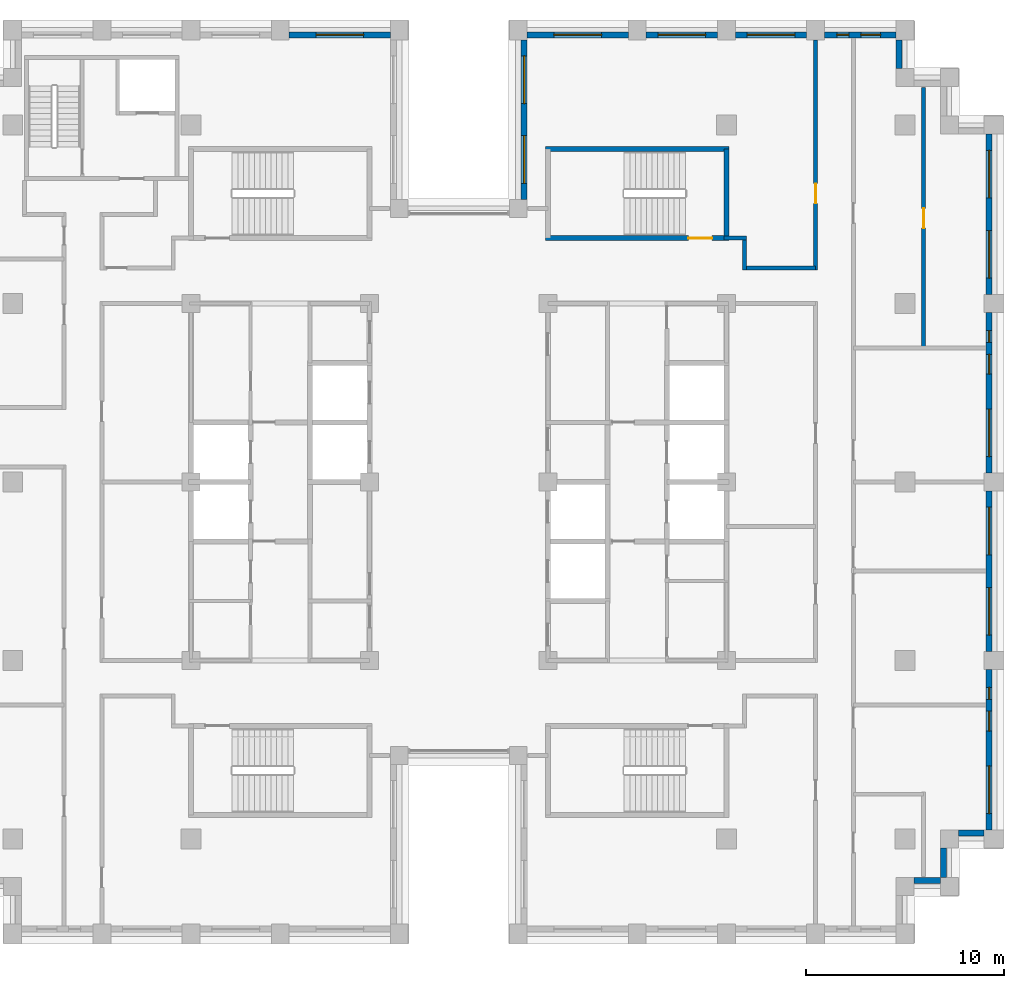
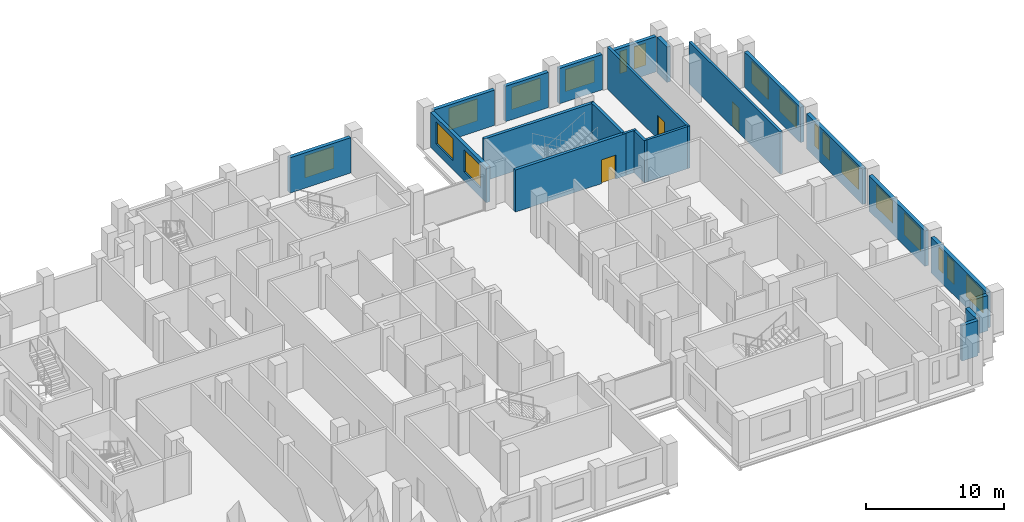
# One storey, part 11 of 15: 22 walls, 18 windows, 3 doors, 21 openings.
"""IFC4 building model written with IfcOpenShell, lengths in metres."""

from ifc_helpers import new_model, si_unit, direction, frame, frame_2d, origin, place, context, subcontext, project, spatial, rectangle, extrude, material, layer, layer_set, type_object, element, fill, save


model = new_model("IFC4")

# Units and contexts
model_context = context("Model", 3, precision=1e-05, world=origin(), true_north=direction((0.0, 1.0)))
body_context = subcontext(model_context, "Body", "Model", "MODEL_VIEW")
ifc_project = project(units=[si_unit("LENGTHUNIT", "METRE"), si_unit("AREAUNIT", "SQUARE_METRE"), si_unit("VOLUMEUNIT", "CUBIC_METRE"), si_unit("PLANEANGLEUNIT", "RADIAN"), si_unit("MASSUNIT", "GRAM", prefix="KILO")], contexts=[model_context])

# Site, building, storey
site_placement = place(None, origin())
site = spatial("IfcSite", under=ifc_project, at=site_placement, CompositionType="ELEMENT")
building_placement = place(site_placement, origin())
building = spatial("IfcBuilding", under=site, at=building_placement, Name="Corbelhall Arena Tower", CompositionType="ELEMENT")
storey_placement = place(building_placement, frame((0.0, 0.0, 204.0)))
storey = spatial("IfcBuildingStorey", under=building, at=storey_placement, Name="L42", CompositionType="ELEMENT", Elevation=204.0)

# Walls
ifc_material_1 = material(Name="Precast concrete C40/50 with granite facing", Category="masonry")
ifc_layer_1 = layer(ifc_material_1, 0.300048828125)
ifc_layer_set_1 = layer_set([ifc_layer_1], Name="EV-IW1 Infill panel 300")
wall_type_1 = type_object("IfcWallType", Name="EV-IW1 Infill panel 300", PredefinedType="SOLIDWALL", material=ifc_layer_set_1)
wall_1_placement = place(storey_placement, frame((22.949951171875, -20.10009765625, 0.0), z_axis=(0.0, 0.0, 1.0), x_axis=(1.0, 0.0, 0.0)))
element("IfcWall", 1, at=wall_1_placement, inside=storey, type_object=wall_type_1, Name="Infill panel IW1", PredefinedType="SOLIDWALL", context=body_context, shape_type="SweptSolid", body=[
    extrude(rectangle(XDim=1.35009765625, YDim=0.300048828125, at=frame_2d((0.675048828125, 0.0))), origin(), (0.0, 0.0, 1.0), 3.1201171875),
])
wall_2_placement = place(storey_placement, frame((24.449951171875, -19.949951171875, 0.0), z_axis=(0.0, 0.0, 1.0), x_axis=(0.0, 1.0, 0.0)))
element("IfcWall", 2, at=wall_2_placement, inside=storey, type_object=wall_type_1, Name="Infill panel IW1", PredefinedType="SOLIDWALL", context=body_context, shape_type="SweptSolid", body=[
    extrude(rectangle(XDim=1.5, YDim=0.300048828125, at=frame_2d((0.75, 0.0))), origin(), (0.0, 0.0, 1.0), 3.1201171875),
])
wall_3_placement = place(storey_placement, frame((25.199951171875, -17.699951171875, 0.0), z_axis=(0.0, 0.0, 1.0), x_axis=(1.0, 0.0, 0.0)))
element("IfcWall", 3, at=wall_3_placement, inside=storey, type_object=wall_type_1, Name="Infill panel IW1", PredefinedType="SOLIDWALL", context=body_context, shape_type="SweptSolid", body=[
    extrude(rectangle(XDim=1.300048828125, YDim=0.300048828125, at=frame_2d((0.64990234375, 0.0))), origin(), (0.0, 0.0, 1.0), 3.1201171875),
])

# Wall, openings, windows
wall_4_placement = place(storey_placement, frame((26.75, -17.550048828125, 0.0), z_axis=(0.0, 0.0, 1.0), x_axis=(0.0, 1.0, 0.0)))
wall_4 = element("IfcWall", 4, at=wall_4_placement, inside=storey, type_object=wall_type_1, Name="Infill panel IW1", PredefinedType="SOLIDWALL", context=body_context, shape_type="SweptSolid", body=[
    extrude(rectangle(XDim=8.10009765625, YDim=0.300048828125, at=frame_2d((4.050048828125, 0.0))), origin(), (0.0, 0.0, 1.0), 3.1201171875),
])
opening_1_placement = place(wall_4_placement, frame((0.824951171875, 0.0, 0.800048828125)))
opening_1 = element("IfcOpeningElement", 5, at=opening_1_placement, cuts=wall_4, Name="Opening WN1", PredefinedType="OPENING", context=body_context, shape_type="SweptSolid", body=[
    extrude(rectangle(XDim=2.39990234375, YDim=1.949951171875, at=frame_2d((1.199951171875, 0.97509765625))), frame((0.0, 0.14990234375, 0.0), z_axis=(0.0, -1.0, 0.0), x_axis=(1.0, 0.0, 0.0)), (0.0, 0.0, 1.0), 0.300048828125),
])
opening_2_placement = place(wall_4_placement, frame((4.987548828125, 0.0, 0.800048828125)))
opening_2 = element("IfcOpeningElement", 6, at=opening_2_placement, cuts=wall_4, Name="Opening WN6", PredefinedType="OPENING", context=body_context, shape_type="SweptSolid", body=[
    extrude(rectangle(XDim=1.0, YDim=1.949951171875, at=frame_2d((0.5, 0.97509765625))), frame((0.0, 0.14990234375, 0.0), z_axis=(0.0, -1.0, 0.0), x_axis=(1.0, 0.0, 0.0)), (0.0, 0.0, 1.0), 0.300048828125),
])
opening_3_placement = place(wall_4_placement, frame((6.58740234375, 0.0, 0.800048828125)))
opening_3 = element("IfcOpeningElement", 7, at=opening_3_placement, cuts=wall_4, Name="Opening WN5", PredefinedType="OPENING", context=body_context, shape_type="SweptSolid", body=[
    extrude(rectangle(XDim=0.60009765625, YDim=1.949951171875, at=frame_2d((0.300048828125, 0.97509765625))), frame((0.0, 0.14990234375, 0.0), z_axis=(0.0, -1.0, 0.0), x_axis=(1.0, 0.0, 0.0)), (0.0, 0.0, 1.0), 0.300048828125),
])
ifc_material_2 = material(Name="Aluminium black anodised", Category="aluminium")
window_type_1 = type_object("IfcWindowType", Name="EV-WN1 Office window", PartitioningType="SINGLE_PANEL", PredefinedType="WINDOW", material=ifc_material_2)
window_1_placement = place(opening_1_placement, origin())
window_1 = element("IfcWindow", 8, at=window_1_placement, inside=storey, type_object=window_type_1, Name="Window WN1", OverallHeight=1.949951171875, OverallWidth=2.39990234375, PartitioningType="SINGLE_PANEL", PredefinedType="WINDOW", context=body_context, shape_type="SweptSolid", body=[
    extrude(rectangle(XDim=2.39990234375, YDim=1.949951171875, at=frame_2d((1.199951171875, 0.97509765625))), frame((0.0, 0.030029296875, 0.0), z_axis=(0.0, -1.0, 0.0), x_axis=(1.0, 0.0, 0.0)), (0.0, 0.0, 1.0), 0.06005859375),
])
fill(opening_1, window_1)
window_type_2 = type_object("IfcWindowType", Name="EV-WN5 Office window 600", PartitioningType="SINGLE_PANEL", PredefinedType="WINDOW", material=ifc_material_2)
window_2_placement = place(opening_3_placement, origin())
window_2 = element("IfcWindow", 9, at=window_2_placement, inside=storey, type_object=window_type_2, Name="Window WN5", OverallHeight=1.949951171875, OverallWidth=0.60009765625, PartitioningType="SINGLE_PANEL", PredefinedType="WINDOW", context=body_context, shape_type="SweptSolid", body=[
    extrude(rectangle(XDim=0.60009765625, YDim=1.949951171875, at=frame_2d((0.300048828125, 0.97509765625))), frame((0.0, 0.030029296875, 0.0), z_axis=(0.0, -1.0, 0.0), x_axis=(1.0, 0.0, 0.0)), (0.0, 0.0, 1.0), 0.06005859375),
])
fill(opening_3, window_2)
window_type_3 = type_object("IfcWindowType", Name="EV-WN6 Office window 1000", PartitioningType="SINGLE_PANEL", PredefinedType="WINDOW", material=ifc_material_2)
window_3_placement = place(opening_2_placement, origin())
window_3 = element("IfcWindow", 10, at=window_3_placement, inside=storey, type_object=window_type_3, Name="Window WN6", OverallHeight=1.949951171875, OverallWidth=1.0, PartitioningType="SINGLE_PANEL", PredefinedType="WINDOW", context=body_context, shape_type="SweptSolid", body=[
    extrude(rectangle(XDim=1.0, YDim=1.949951171875, at=frame_2d((0.5, 0.97509765625))), frame((0.0, 0.030029296875, 0.0), z_axis=(0.0, -1.0, 0.0), x_axis=(1.0, 0.0, 0.0)), (0.0, 0.0, 1.0), 0.06005859375),
])
fill(opening_2, window_3)

wall_5_placement = place(storey_placement, frame((26.75, -8.550048828125, 0.0), z_axis=(0.0, 0.0, 1.0), x_axis=(0.0, 1.0, 0.0)))
wall_5 = element("IfcWall", 11, at=wall_5_placement, inside=storey, type_object=wall_type_1, Name="Infill panel IW1", PredefinedType="SOLIDWALL", context=body_context, shape_type="SweptSolid", body=[
    extrude(rectangle(XDim=8.10009765625, YDim=0.300048828125, at=frame_2d((4.050048828125, 0.0))), origin(), (0.0, 0.0, 1.0), 3.1201171875),
])
opening_4_placement = place(wall_5_placement, frame((0.824951171875, 0.0, 0.800048828125)))
opening_4 = element("IfcOpeningElement", 12, at=opening_4_placement, cuts=wall_5, Name="Opening WN1", PredefinedType="OPENING", context=body_context, shape_type="SweptSolid", body=[
    extrude(rectangle(XDim=2.39990234375, YDim=1.949951171875, at=frame_2d((1.199951171875, 0.97509765625))), frame((0.0, 0.14990234375, 0.0), z_axis=(0.0, -1.0, 0.0), x_axis=(1.0, 0.0, 0.0)), (0.0, 0.0, 1.0), 0.300048828125),
])
opening_5_placement = place(wall_5_placement, frame((4.875, 0.0, 0.800048828125)))
opening_5 = element("IfcOpeningElement", 13, at=opening_5_placement, cuts=wall_5, Name="Opening WN1", PredefinedType="OPENING", context=body_context, shape_type="SweptSolid", body=[
    extrude(rectangle(XDim=2.39990234375, YDim=1.949951171875, at=frame_2d((1.199951171875, 0.97509765625))), frame((0.0, 0.14990234375, 0.0), z_axis=(0.0, -1.0, 0.0), x_axis=(1.0, 0.0, 0.0)), (0.0, 0.0, 1.0), 0.300048828125),
])
window_4_placement = place(opening_4_placement, origin())
window_4 = element("IfcWindow", 14, at=window_4_placement, inside=storey, type_object=window_type_1, Name="Window WN1", OverallHeight=1.949951171875, OverallWidth=2.39990234375, PartitioningType="SINGLE_PANEL", PredefinedType="WINDOW", context=body_context, shape_type="SweptSolid", body=[
    extrude(rectangle(XDim=2.39990234375, YDim=1.949951171875, at=frame_2d((1.199951171875, 0.97509765625))), frame((0.0, 0.030029296875, 0.0), z_axis=(0.0, -1.0, 0.0), x_axis=(1.0, 0.0, 0.0)), (0.0, 0.0, 1.0), 0.06005859375),
])
fill(opening_4, window_4)
window_5_placement = place(opening_5_placement, origin())
window_5 = element("IfcWindow", 15, at=window_5_placement, inside=storey, type_object=window_type_1, Name="Window WN1", OverallHeight=1.949951171875, OverallWidth=2.39990234375, PartitioningType="SINGLE_PANEL", PredefinedType="WINDOW", context=body_context, shape_type="SweptSolid", body=[
    extrude(rectangle(XDim=2.39990234375, YDim=1.949951171875, at=frame_2d((1.199951171875, 0.97509765625))), frame((0.0, 0.030029296875, 0.0), z_axis=(0.0, -1.0, 0.0), x_axis=(1.0, 0.0, 0.0)), (0.0, 0.0, 1.0), 0.06005859375),
])
fill(opening_5, window_5)

wall_6_placement = place(storey_placement, frame((26.75, 0.449951171875, 0.0), z_axis=(0.0, 0.0, 1.0), x_axis=(0.0, 1.0, 0.0)))
wall_6 = element("IfcWall", 16, at=wall_6_placement, inside=storey, type_object=wall_type_1, Name="Infill panel IW1", PredefinedType="SOLIDWALL", context=body_context, shape_type="SweptSolid", body=[
    extrude(rectangle(XDim=8.10009765625, YDim=0.300048828125, at=frame_2d((4.050048828125, 0.0))), origin(), (0.0, 0.0, 1.0), 3.1201171875),
])
opening_6_placement = place(wall_6_placement, frame((0.824951171875, 0.0, 0.800048828125)))
opening_6 = element("IfcOpeningElement", 17, at=opening_6_placement, cuts=wall_6, Name="Opening WN1", PredefinedType="OPENING", context=body_context, shape_type="SweptSolid", body=[
    extrude(rectangle(XDim=2.39990234375, YDim=1.949951171875, at=frame_2d((1.199951171875, 0.97509765625))), frame((0.0, 0.14990234375, 0.0), z_axis=(0.0, -1.0, 0.0), x_axis=(1.0, 0.0, 0.0)), (0.0, 0.0, 1.0), 0.300048828125),
])
opening_7_placement = place(wall_6_placement, frame((4.987548828125, 0.0, 0.800048828125)))
opening_7 = element("IfcOpeningElement", 18, at=opening_7_placement, cuts=wall_6, Name="Opening WN6", PredefinedType="OPENING", context=body_context, shape_type="SweptSolid", body=[
    extrude(rectangle(XDim=1.0, YDim=1.949951171875, at=frame_2d((0.5, 0.97509765625))), frame((0.0, 0.14990234375, 0.0), z_axis=(0.0, -1.0, 0.0), x_axis=(1.0, 0.0, 0.0)), (0.0, 0.0, 1.0), 0.300048828125),
])
opening_8_placement = place(wall_6_placement, frame((6.58740234375, 0.0, 0.800048828125)))
opening_8 = element("IfcOpeningElement", 19, at=opening_8_placement, cuts=wall_6, Name="Opening WN5", PredefinedType="OPENING", context=body_context, shape_type="SweptSolid", body=[
    extrude(rectangle(XDim=0.60009765625, YDim=1.949951171875, at=frame_2d((0.300048828125, 0.97509765625))), frame((0.0, 0.14990234375, 0.0), z_axis=(0.0, -1.0, 0.0), x_axis=(1.0, 0.0, 0.0)), (0.0, 0.0, 1.0), 0.300048828125),
])
window_6_placement = place(opening_6_placement, origin())
window_6 = element("IfcWindow", 20, at=window_6_placement, inside=storey, type_object=window_type_1, Name="Window WN1", OverallHeight=1.949951171875, OverallWidth=2.39990234375, PartitioningType="SINGLE_PANEL", PredefinedType="WINDOW", context=body_context, shape_type="SweptSolid", body=[
    extrude(rectangle(XDim=2.39990234375, YDim=1.949951171875, at=frame_2d((1.199951171875, 0.97509765625))), frame((0.0, 0.030029296875, 0.0), z_axis=(0.0, -1.0, 0.0), x_axis=(1.0, 0.0, 0.0)), (0.0, 0.0, 1.0), 0.06005859375),
])
fill(opening_6, window_6)
window_7_placement = place(opening_8_placement, origin())
window_7 = element("IfcWindow", 21, at=window_7_placement, inside=storey, type_object=window_type_2, Name="Window WN5", OverallHeight=1.949951171875, OverallWidth=0.60009765625, PartitioningType="SINGLE_PANEL", PredefinedType="WINDOW", context=body_context, shape_type="SweptSolid", body=[
    extrude(rectangle(XDim=0.60009765625, YDim=1.949951171875, at=frame_2d((0.300048828125, 0.97509765625))), frame((0.0, 0.030029296875, 0.0), z_axis=(0.0, -1.0, 0.0), x_axis=(1.0, 0.0, 0.0)), (0.0, 0.0, 1.0), 0.06005859375),
])
fill(opening_8, window_7)
window_8_placement = place(opening_7_placement, origin())
window_8 = element("IfcWindow", 22, at=window_8_placement, inside=storey, type_object=window_type_3, Name="Window WN6", OverallHeight=1.949951171875, OverallWidth=1.0, PartitioningType="SINGLE_PANEL", PredefinedType="WINDOW", context=body_context, shape_type="SweptSolid", body=[
    extrude(rectangle(XDim=1.0, YDim=1.949951171875, at=frame_2d((0.5, 0.97509765625))), frame((0.0, 0.030029296875, 0.0), z_axis=(0.0, -1.0, 0.0), x_axis=(1.0, 0.0, 0.0)), (0.0, 0.0, 1.0), 0.06005859375),
])
fill(opening_7, window_8)

wall_7_placement = place(storey_placement, frame((26.75, 9.449951171875, 0.0), z_axis=(0.0, 0.0, 1.0), x_axis=(0.0, 1.0, 0.0)))
wall_7 = element("IfcWall", 23, at=wall_7_placement, inside=storey, type_object=wall_type_1, Name="Infill panel IW1", PredefinedType="SOLIDWALL", context=body_context, shape_type="SweptSolid", body=[
    extrude(rectangle(XDim=8.10009765625, YDim=0.300048828125, at=frame_2d((4.050048828125, 0.0))), origin(), (0.0, 0.0, 1.0), 3.1201171875),
])
opening_9_placement = place(wall_7_placement, frame((0.824951171875, 0.0, 0.800048828125)))
opening_9 = element("IfcOpeningElement", 24, at=opening_9_placement, cuts=wall_7, Name="Opening WN1", PredefinedType="OPENING", context=body_context, shape_type="SweptSolid", body=[
    extrude(rectangle(XDim=2.39990234375, YDim=1.949951171875, at=frame_2d((1.199951171875, 0.97509765625))), frame((0.0, 0.14990234375, 0.0), z_axis=(0.0, -1.0, 0.0), x_axis=(1.0, 0.0, 0.0)), (0.0, 0.0, 1.0), 0.300048828125),
])
opening_10_placement = place(wall_7_placement, frame((4.875, 0.0, 0.800048828125)))
opening_10 = element("IfcOpeningElement", 25, at=opening_10_placement, cuts=wall_7, Name="Opening WN1", PredefinedType="OPENING", context=body_context, shape_type="SweptSolid", body=[
    extrude(rectangle(XDim=2.39990234375, YDim=1.949951171875, at=frame_2d((1.199951171875, 0.97509765625))), frame((0.0, 0.14990234375, 0.0), z_axis=(0.0, -1.0, 0.0), x_axis=(1.0, 0.0, 0.0)), (0.0, 0.0, 1.0), 0.300048828125),
])
window_9_placement = place(opening_9_placement, origin())
window_9 = element("IfcWindow", 26, at=window_9_placement, inside=storey, type_object=window_type_1, Name="Window WN1", OverallHeight=1.949951171875, OverallWidth=2.39990234375, PartitioningType="SINGLE_PANEL", PredefinedType="WINDOW", context=body_context, shape_type="SweptSolid", body=[
    extrude(rectangle(XDim=2.39990234375, YDim=1.949951171875, at=frame_2d((1.199951171875, 0.97509765625))), frame((0.0, 0.030029296875, 0.0), z_axis=(0.0, -1.0, 0.0), x_axis=(1.0, 0.0, 0.0)), (0.0, 0.0, 1.0), 0.06005859375),
])
fill(opening_9, window_9)
window_10_placement = place(opening_10_placement, origin())
window_10 = element("IfcWindow", 27, at=window_10_placement, inside=storey, type_object=window_type_1, Name="Window WN1", OverallHeight=1.949951171875, OverallWidth=2.39990234375, PartitioningType="SINGLE_PANEL", PredefinedType="WINDOW", context=body_context, shape_type="SweptSolid", body=[
    extrude(rectangle(XDim=2.39990234375, YDim=1.949951171875, at=frame_2d((1.199951171875, 0.97509765625))), frame((0.0, 0.030029296875, 0.0), z_axis=(0.0, -1.0, 0.0), x_axis=(1.0, 0.0, 0.0)), (0.0, 0.0, 1.0), 0.06005859375),
])
fill(opening_10, window_10)

# Wall
wall_8_placement = place(storey_placement, frame((22.199951171875, 20.85009765625, 0.0), z_axis=(0.0, 0.0, 1.0), x_axis=(0.0, 1.0, 0.0)))
element("IfcWall", 28, at=wall_8_placement, inside=storey, type_object=wall_type_1, Name="Infill panel IW1", PredefinedType="SOLIDWALL", context=body_context, shape_type="SweptSolid", body=[
    extrude(rectangle(XDim=1.449951171875, YDim=0.300048828125, at=frame_2d((0.72509765625, 0.0))), origin(), (0.0, 0.0, 1.0), 3.1201171875),
])

# Wall, openings, windows
wall_9_placement = place(storey_placement, frame((22.050048828125, 22.550048828125, 0.0), z_axis=(0.0, 0.0, 1.0), x_axis=(-1.0, 0.0, 0.0)))
wall_9 = element("IfcWall", 29, at=wall_9_placement, inside=storey, type_object=wall_type_1, Name="Infill panel IW1", PredefinedType="SOLIDWALL", context=body_context, shape_type="SweptSolid", body=[
    extrude(rectangle(XDim=3.60009765625, YDim=0.300048828125, at=frame_2d((1.800048828125, 0.0))), origin(), (0.0, 0.0, 1.0), 3.1201171875),
])
opening_11_placement = place(wall_9_placement, frame((0.77490234375, 0.0, 0.800048828125)))
opening_11 = element("IfcOpeningElement", 30, at=opening_11_placement, cuts=wall_9, Name="Opening WN6", PredefinedType="OPENING", context=body_context, shape_type="SweptSolid", body=[
    extrude(rectangle(XDim=1.0, YDim=1.949951171875, at=frame_2d((0.5, 0.97509765625))), frame((0.0, 0.14990234375, 0.0), z_axis=(0.0, -1.0, 0.0), x_axis=(1.0, 0.0, 0.0)), (0.0, 0.0, 1.0), 0.300048828125),
])
opening_12_placement = place(wall_9_placement, frame((2.375, 0.0, 0.800048828125)))
opening_12 = element("IfcOpeningElement", 31, at=opening_12_placement, cuts=wall_9, Name="Opening WN5", PredefinedType="OPENING", context=body_context, shape_type="SweptSolid", body=[
    extrude(rectangle(XDim=0.60009765625, YDim=1.949951171875, at=frame_2d((0.300048828125, 0.97509765625))), frame((0.0, 0.14990234375, 0.0), z_axis=(0.0, -1.0, 0.0), x_axis=(1.0, 0.0, 0.0)), (0.0, 0.0, 1.0), 0.300048828125),
])
window_11_placement = place(opening_12_placement, origin())
window_11 = element("IfcWindow", 32, at=window_11_placement, inside=storey, type_object=window_type_2, Name="Window WN5", OverallHeight=1.949951171875, OverallWidth=0.60009765625, PartitioningType="SINGLE_PANEL", PredefinedType="WINDOW", context=body_context, shape_type="SweptSolid", body=[
    extrude(rectangle(XDim=0.60009765625, YDim=1.949951171875, at=frame_2d((0.300048828125, 0.97509765625))), frame((0.0, 0.030029296875, 0.0), z_axis=(0.0, -1.0, 0.0), x_axis=(1.0, 0.0, 0.0)), (0.0, 0.0, 1.0), 0.06005859375),
])
fill(opening_12, window_11)
window_12_placement = place(opening_11_placement, origin())
window_12 = element("IfcWindow", 33, at=window_12_placement, inside=storey, type_object=window_type_3, Name="Window WN6", OverallHeight=1.949951171875, OverallWidth=1.0, PartitioningType="SINGLE_PANEL", PredefinedType="WINDOW", context=body_context, shape_type="SweptSolid", body=[
    extrude(rectangle(XDim=1.0, YDim=1.949951171875, at=frame_2d((0.5, 0.97509765625))), frame((0.0, 0.030029296875, 0.0), z_axis=(0.0, -1.0, 0.0), x_axis=(1.0, 0.0, 0.0)), (0.0, 0.0, 1.0), 0.06005859375),
])
fill(opening_11, window_12)

# Wall, opening, window
wall_10_placement = place(storey_placement, frame((17.550048828125, 22.550048828125, 0.0), z_axis=(0.0, 0.0, 1.0), x_axis=(-1.0, 0.0, 0.0)))
wall_10 = element("IfcWall", 34, at=wall_10_placement, inside=storey, type_object=wall_type_1, Name="Infill panel IW1", PredefinedType="SOLIDWALL", context=body_context, shape_type="SweptSolid", body=[
    extrude(rectangle(XDim=3.60009765625, YDim=0.300048828125, at=frame_2d((1.800048828125, 0.0))), origin(), (0.0, 0.0, 1.0), 3.1201171875),
])
opening_13_placement = place(wall_10_placement, frame((0.60009765625, 0.0, 0.800048828125)))
opening_13 = element("IfcOpeningElement", 35, at=opening_13_placement, cuts=wall_10, Name="Opening WN1", PredefinedType="OPENING", context=body_context, shape_type="SweptSolid", body=[
    extrude(rectangle(XDim=2.39990234375, YDim=1.949951171875, at=frame_2d((1.199951171875, 0.97509765625))), frame((0.0, 0.14990234375, 0.0), z_axis=(0.0, -1.0, 0.0), x_axis=(1.0, 0.0, 0.0)), (0.0, 0.0, 1.0), 0.300048828125),
])
window_13_placement = place(opening_13_placement, origin())
window_13 = element("IfcWindow", 36, at=window_13_placement, inside=storey, type_object=window_type_1, Name="Window WN1", OverallHeight=1.949951171875, OverallWidth=2.39990234375, PartitioningType="SINGLE_PANEL", PredefinedType="WINDOW", context=body_context, shape_type="SweptSolid", body=[
    extrude(rectangle(XDim=2.39990234375, YDim=1.949951171875, at=frame_2d((1.199951171875, 0.97509765625))), frame((0.0, 0.030029296875, 0.0), z_axis=(0.0, -1.0, 0.0), x_axis=(1.0, 0.0, 0.0)), (0.0, 0.0, 1.0), 0.06005859375),
])
fill(opening_13, window_13)

wall_11_placement = place(storey_placement, frame((13.050048828125, 22.550048828125, 0.0), z_axis=(0.0, 0.0, 1.0), x_axis=(-1.0, 0.0, 0.0)))
wall_11 = element("IfcWall", 37, at=wall_11_placement, inside=storey, type_object=wall_type_1, Name="Infill panel IW1", PredefinedType="SOLIDWALL", context=body_context, shape_type="SweptSolid", body=[
    extrude(rectangle(XDim=3.60009765625, YDim=0.300048828125, at=frame_2d((1.800048828125, 0.0))), origin(), (0.0, 0.0, 1.0), 3.1201171875),
])
opening_14_placement = place(wall_11_placement, frame((0.60009765625, 0.0, 0.800048828125)))
opening_14 = element("IfcOpeningElement", 38, at=opening_14_placement, cuts=wall_11, Name="Opening WN1", PredefinedType="OPENING", context=body_context, shape_type="SweptSolid", body=[
    extrude(rectangle(XDim=2.39990234375, YDim=1.949951171875, at=frame_2d((1.199951171875, 0.97509765625))), frame((0.0, 0.14990234375, 0.0), z_axis=(0.0, -1.0, 0.0), x_axis=(1.0, 0.0, 0.0)), (0.0, 0.0, 1.0), 0.300048828125),
])
window_14_placement = place(opening_14_placement, origin())
window_14 = element("IfcWindow", 39, at=window_14_placement, inside=storey, type_object=window_type_1, Name="Window WN1", OverallHeight=1.949951171875, OverallWidth=2.39990234375, PartitioningType="SINGLE_PANEL", PredefinedType="WINDOW", context=body_context, shape_type="SweptSolid", body=[
    extrude(rectangle(XDim=2.39990234375, YDim=1.949951171875, at=frame_2d((1.199951171875, 0.97509765625))), frame((0.0, 0.030029296875, 0.0), z_axis=(0.0, -1.0, 0.0), x_axis=(1.0, 0.0, 0.0)), (0.0, 0.0, 1.0), 0.06005859375),
])
fill(opening_14, window_14)

wall_12_placement = place(storey_placement, frame((8.550048828125, 22.550048828125, 0.0), z_axis=(0.0, 0.0, 1.0), x_axis=(-1.0, 0.0, 0.0)))
wall_12 = element("IfcWall", 40, at=wall_12_placement, inside=storey, type_object=wall_type_1, Name="Infill panel IW1", PredefinedType="SOLIDWALL", context=body_context, shape_type="SweptSolid", body=[
    extrude(rectangle(XDim=5.10009765625, YDim=0.300048828125, at=frame_2d((2.550048828125, 0.0))), origin(), (0.0, 0.0, 1.0), 3.1201171875),
])
opening_15_placement = place(wall_12_placement, frame((1.35009765625, 0.0, 0.800048828125)))
opening_15 = element("IfcOpeningElement", 41, at=opening_15_placement, cuts=wall_12, Name="Opening WN1", PredefinedType="OPENING", context=body_context, shape_type="SweptSolid", body=[
    extrude(rectangle(XDim=2.39990234375, YDim=1.949951171875, at=frame_2d((1.199951171875, 0.97509765625))), frame((0.0, 0.14990234375, 0.0), z_axis=(0.0, -1.0, 0.0), x_axis=(1.0, 0.0, 0.0)), (0.0, 0.0, 1.0), 0.300048828125),
])
window_15_placement = place(opening_15_placement, origin())
window_15 = element("IfcWindow", 42, at=window_15_placement, inside=storey, type_object=window_type_1, Name="Window WN1", OverallHeight=1.949951171875, OverallWidth=2.39990234375, PartitioningType="SINGLE_PANEL", PredefinedType="WINDOW", context=body_context, shape_type="SweptSolid", body=[
    extrude(rectangle(XDim=2.39990234375, YDim=1.949951171875, at=frame_2d((1.199951171875, 0.97509765625))), frame((0.0, 0.030029296875, 0.0), z_axis=(0.0, -1.0, 0.0), x_axis=(1.0, 0.0, 0.0)), (0.0, 0.0, 1.0), 0.06005859375),
])
fill(opening_15, window_15)

# Wall, openings, windows
wall_13_placement = place(storey_placement, frame((3.300048828125, 22.300048828125, 0.0), z_axis=(0.0, 0.0, 1.0), x_axis=(0.0, -1.0, 0.0)))
wall_13 = element("IfcWall", 43, at=wall_13_placement, inside=storey, type_object=wall_type_1, Name="Infill panel IW1", PredefinedType="SOLIDWALL", context=body_context, shape_type="SweptSolid", body=[
    extrude(rectangle(XDim=8.050048828125, YDim=0.300048828125, at=frame_2d((4.02490234375, 0.0))), origin(), (0.0, 0.0, 1.0), 3.1201171875),
])
opening_16_placement = place(wall_13_placement, frame((0.8125, 0.0, 0.800048828125)))
opening_16 = element("IfcOpeningElement", 44, at=opening_16_placement, cuts=wall_13, Name="Opening WN1", PredefinedType="OPENING", context=body_context, shape_type="SweptSolid", body=[
    extrude(rectangle(XDim=2.39990234375, YDim=1.949951171875, at=frame_2d((1.199951171875, 0.97509765625))), frame((0.0, 0.14990234375, 0.0), z_axis=(0.0, -1.0, 0.0), x_axis=(1.0, 0.0, 0.0)), (0.0, 0.0, 1.0), 0.300048828125),
])
opening_17_placement = place(wall_13_placement, frame((4.83740234375, 0.0, 0.800048828125)))
opening_17 = element("IfcOpeningElement", 45, at=opening_17_placement, cuts=wall_13, Name="Opening WN1", PredefinedType="OPENING", context=body_context, shape_type="SweptSolid", body=[
    extrude(rectangle(XDim=2.39990234375, YDim=1.949951171875, at=frame_2d((1.199951171875, 0.97509765625))), frame((0.0, 0.14990234375, 0.0), z_axis=(0.0, -1.0, 0.0), x_axis=(1.0, 0.0, 0.0)), (0.0, 0.0, 1.0), 0.300048828125),
])
window_16_placement = place(opening_16_placement, origin())
window_16 = element("IfcWindow", 46, at=window_16_placement, inside=storey, type_object=window_type_1, Name="Window WN1", OverallHeight=1.949951171875, OverallWidth=2.39990234375, PartitioningType="SINGLE_PANEL", PredefinedType="WINDOW", context=body_context, shape_type="SweptSolid", body=[
    extrude(rectangle(XDim=2.39990234375, YDim=1.949951171875, at=frame_2d((1.199951171875, 0.97509765625))), frame((0.0, 0.030029296875, 0.0), z_axis=(0.0, -1.0, 0.0), x_axis=(1.0, 0.0, 0.0)), (0.0, 0.0, 1.0), 0.06005859375),
])
fill(opening_16, window_16)
window_17_placement = place(opening_17_placement, origin())
window_17 = element("IfcWindow", 47, at=window_17_placement, inside=storey, type_object=window_type_1, Name="Window WN1", OverallHeight=1.949951171875, OverallWidth=2.39990234375, PartitioningType="SINGLE_PANEL", PredefinedType="WINDOW", context=body_context, shape_type="SweptSolid", body=[
    extrude(rectangle(XDim=2.39990234375, YDim=1.949951171875, at=frame_2d((1.199951171875, 0.97509765625))), frame((0.0, 0.030029296875, 0.0), z_axis=(0.0, -1.0, 0.0), x_axis=(1.0, 0.0, 0.0)), (0.0, 0.0, 1.0), 0.06005859375),
])
fill(opening_17, window_17)

# Wall, opening, window
wall_14_placement = place(storey_placement, frame((-3.449951171875, 22.550048828125, 0.0), z_axis=(0.0, 0.0, 1.0), x_axis=(-1.0, 0.0, 0.0)))
wall_14 = element("IfcWall", 48, at=wall_14_placement, inside=storey, type_object=wall_type_1, Name="Infill panel IW1", PredefinedType="SOLIDWALL", context=body_context, shape_type="SweptSolid", body=[
    extrude(rectangle(XDim=5.10009765625, YDim=0.300048828125, at=frame_2d((2.550048828125, 0.0))), origin(), (0.0, 0.0, 1.0), 3.1201171875),
])
opening_18_placement = place(wall_14_placement, frame((1.35009765625, 0.0, 0.800048828125)))
opening_18 = element("IfcOpeningElement", 49, at=opening_18_placement, cuts=wall_14, Name="Opening WN1", PredefinedType="OPENING", context=body_context, shape_type="SweptSolid", body=[
    extrude(rectangle(XDim=2.39990234375, YDim=1.949951171875, at=frame_2d((1.199951171875, 0.97509765625))), frame((0.0, 0.14990234375, 0.0), z_axis=(0.0, -1.0, 0.0), x_axis=(1.0, 0.0, 0.0)), (0.0, 0.0, 1.0), 0.300048828125),
])
window_18_placement = place(opening_18_placement, origin())
window_18 = element("IfcWindow", 50, at=window_18_placement, inside=storey, type_object=window_type_1, Name="Window WN1", OverallHeight=1.949951171875, OverallWidth=2.39990234375, PartitioningType="SINGLE_PANEL", PredefinedType="WINDOW", context=body_context, shape_type="SweptSolid", body=[
    extrude(rectangle(XDim=2.39990234375, YDim=1.949951171875, at=frame_2d((1.199951171875, 0.97509765625))), frame((0.0, 0.030029296875, 0.0), z_axis=(0.0, -1.0, 0.0), x_axis=(1.0, 0.0, 0.0)), (0.0, 0.0, 1.0), 0.06005859375),
])
fill(opening_18, window_18)

# Walls
ifc_material_3 = material(Name="Gypsum board on steel stud, acoustic", Category="steel")
ifc_layer_2 = layer(ifc_material_3, 0.199951171875)
ifc_layer_set_2 = layer_set([ifc_layer_2], Name="IN-W-DM200")
wall_type_2 = type_object("IfcWallType", Name="IN-W-DM200", PredefinedType="PARTITIONING", material=ifc_layer_set_2)
wall_15_placement = place(storey_placement, frame((13.375, 12.300048828125, 0.0), z_axis=(0.0, 0.0, 1.0), x_axis=(1.0, 0.0, 0.0)))
element("IfcWall", 51, at=wall_15_placement, inside=storey, type_object=wall_type_2, Name="Partition 036", PredefinedType="PARTITIONING", context=body_context, shape_type="SweptSolid", body=[
    extrude(rectangle(XDim=1.125, YDim=0.199951171875, at=frame_2d((0.5625, 0.0))), origin(), (0.0, 0.0, 1.0), 3.719970703125),
])
wall_16_placement = place(storey_placement, frame((14.39990234375, 10.800048828125, 0.0), z_axis=(0.0, 0.0, 1.0), x_axis=(1.0, 0.0, 0.0)))
element("IfcWall", 52, at=wall_16_placement, inside=storey, type_object=wall_type_2, Name="Partition 042", PredefinedType="PARTITIONING", context=body_context, shape_type="SweptSolid", body=[
    extrude(rectangle(XDim=3.60009765625, YDim=0.199951171875, at=frame_2d((1.800048828125, 0.0))), origin(), (0.0, 0.0, 1.0), 3.719970703125),
])
wall_17_placement = place(storey_placement, frame((14.39990234375, 12.300048828125, 0.0), z_axis=(0.0, 0.0, 1.0), x_axis=(0.0, -1.0, 0.0)))
element("IfcWall", 53, at=wall_17_placement, inside=storey, type_object=wall_type_2, Name="Partition 043", PredefinedType="PARTITIONING", context=body_context, shape_type="SweptSolid", body=[
    extrude(rectangle(XDim=1.60009765625, YDim=0.199951171875, at=frame_2d((0.800048828125, 0.0))), origin(), (0.0, 0.0, 1.0), 3.719970703125),
])

# Wall, opening, door
wall_18_placement = place(storey_placement, frame((18.0, 10.699951171875, 0.0), z_axis=(0.0, 0.0, 1.0), x_axis=(0.0, 1.0, 0.0)))
wall_18 = element("IfcWall", 54, at=wall_18_placement, inside=storey, type_object=wall_type_2, Name="Partition 047", PredefinedType="PARTITIONING", context=body_context, shape_type="SweptSolid", body=[
    extrude(rectangle(XDim=11.60009765625, YDim=0.199951171875, at=frame_2d((5.800048828125, 0.0))), origin(), (0.0, 0.0, 1.0), 3.719970703125),
])
opening_19_placement = place(wall_18_placement, frame((3.35009765625, 0.0, 0.0)))
opening_19 = element("IfcOpeningElement", 55, at=opening_19_placement, cuts=wall_18, Name="Opening 12028", PredefinedType="OPENING", context=body_context, shape_type="SweptSolid", body=[
    extrude(rectangle(XDim=1.0, YDim=2.10009765625, at=frame_2d((0.5, 1.050048828125))), frame((0.0, 0.10009765625, 0.0), z_axis=(0.0, -1.0, 0.0), x_axis=(1.0, 0.0, 0.0)), (0.0, 0.0, 1.0), 0.199951171875),
])
ifc_material_4 = material(Name="Steel door set", Category="steel")
door_type_1 = type_object("IfcDoorType", Name="IN-D-SW100", OperationType="NOTDEFINED", PredefinedType="DOOR", material=ifc_material_4)
door_1_placement = place(opening_19_placement, origin())
door_1 = element("IfcDoor", 56, at=door_1_placement, inside=storey, type_object=door_type_1, Name="Door 028", OperationType="SINGLE_SWING_LEFT", OverallHeight=2.10009765625, OverallWidth=1.0, PredefinedType="DOOR", context=body_context, shape_type="SweptSolid", body=[
    extrude(rectangle(XDim=1.0, YDim=2.10009765625, at=frame_2d((0.5, 1.050048828125))), frame((0.0, 0.02490234375, 0.0), z_axis=(0.0, -1.0, 0.0), x_axis=(1.0, 0.0, 0.0)), (0.0, 0.0, 1.0), 0.050048828125),
])
fill(opening_19, door_1)

wall_19_placement = place(storey_placement, frame((23.449951171875, 19.89990234375, 0.0), z_axis=(0.0, 0.0, 1.0), x_axis=(0.0, -1.0, 0.0)))
wall_19 = element("IfcWall", 57, at=wall_19_placement, inside=storey, type_object=wall_type_2, Name="Partition 055", PredefinedType="PARTITIONING", context=body_context, shape_type="SweptSolid", body=[
    extrude(rectangle(XDim=13.14990234375, YDim=0.199951171875, at=frame_2d((6.574951171875, 0.0))), origin(), (0.0, 0.0, 1.0), 3.719970703125),
])
opening_20_placement = place(wall_19_placement, frame((6.10009765625, 0.0, 0.0)))
opening_20 = element("IfcOpeningElement", 58, at=opening_20_placement, cuts=wall_19, Name="Opening 12038", PredefinedType="OPENING", context=body_context, shape_type="SweptSolid", body=[
    extrude(rectangle(XDim=1.0, YDim=2.10009765625, at=frame_2d((0.5, 1.050048828125))), frame((0.0, 0.10009765625, 0.0), z_axis=(0.0, -1.0, 0.0), x_axis=(1.0, 0.0, 0.0)), (0.0, 0.0, 1.0), 0.199951171875),
])
door_2_placement = place(opening_20_placement, origin())
door_2 = element("IfcDoor", 59, at=door_2_placement, inside=storey, type_object=door_type_1, Name="Door 038", OperationType="SINGLE_SWING_LEFT", OverallHeight=2.10009765625, OverallWidth=1.0, PredefinedType="DOOR", context=body_context, shape_type="SweptSolid", body=[
    extrude(rectangle(XDim=1.0, YDim=2.10009765625, at=frame_2d((0.5, 1.050048828125))), frame((0.0, 0.02490234375, 0.0), z_axis=(0.0, -1.0, 0.0), x_axis=(1.0, 0.0, 0.0)), (0.0, 0.0, 1.0), 0.050048828125),
])
fill(opening_20, door_2)

ifc_material_5 = material(Name="Concrete C40/50", Category="concrete")
ifc_layer_3 = layer(ifc_material_5, 0.25)
ifc_layer_set_3 = layer_set([ifc_layer_3], Name="IN-W-ST250")
wall_type_3 = type_object("IfcWallType", Name="IN-W-ST250", PredefinedType="SOLIDWALL", material=ifc_layer_set_3)
wall_20_placement = place(storey_placement, frame((4.375, 12.300048828125, 0.0), z_axis=(0.0, 0.0, 1.0), x_axis=(1.0, 0.0, 0.0)))
wall_20 = element("IfcWall", 60, at=wall_20_placement, inside=storey, type_object=wall_type_3, Name="Shaft wall 110", PredefinedType="SOLIDWALL", context=body_context, shape_type="SweptSolid", body=[
    extrude(rectangle(XDim=9.25, YDim=0.25, at=frame_2d((4.625, 0.0))), origin(), (0.0, 0.0, 1.0), 3.719970703125),
])
opening_21_placement = place(wall_20_placement, frame((7.199951171875, 0.0, 0.0)))
opening_21 = element("IfcOpeningElement", 61, at=opening_21_placement, cuts=wall_20, Name="Opening 12019", PredefinedType="OPENING", context=body_context, shape_type="SweptSolid", body=[
    extrude(rectangle(XDim=1.199951171875, YDim=2.10009765625, at=frame_2d((0.60009765625, 1.050048828125))), frame((0.0, 0.125, 0.0), z_axis=(0.0, -1.0, 0.0), x_axis=(1.0, 0.0, 0.0)), (0.0, 0.0, 1.0), 0.25),
])
door_type_2 = type_object("IfcDoorType", Name="IN-D-ST120", OperationType="NOTDEFINED", PredefinedType="DOOR", material=ifc_material_4)
door_3_placement = place(opening_21_placement, origin())
door_3 = element("IfcDoor", 62, at=door_3_placement, inside=storey, type_object=door_type_2, Name="Door 019", OperationType="SINGLE_SWING_RIGHT", OverallHeight=2.10009765625, OverallWidth=1.199951171875, PredefinedType="DOOR", context=body_context, shape_type="SweptSolid", body=[
    extrude(rectangle(XDim=1.199951171875, YDim=2.10009765625, at=frame_2d((0.60009765625, 1.050048828125))), frame((0.0, 0.02490234375, 0.0), z_axis=(0.0, -1.0, 0.0), x_axis=(1.0, 0.0, 0.0)), (0.0, 0.0, 1.0), 0.050048828125),
])
fill(opening_21, door_3)

# Walls
wall_21_placement = place(storey_placement, frame((4.375, 16.800048828125, 0.0), z_axis=(0.0, 0.0, 1.0), x_axis=(1.0, 0.0, 0.0)))
element("IfcWall", 63, at=wall_21_placement, inside=storey, type_object=wall_type_3, Name="Shaft wall 111", PredefinedType="SOLIDWALL", context=body_context, shape_type="SweptSolid", body=[
    extrude(rectangle(XDim=9.25, YDim=0.25, at=frame_2d((4.625, 0.0))), origin(), (0.0, 0.0, 1.0), 3.719970703125),
])
wall_22_placement = place(storey_placement, frame((13.5, 16.800048828125, 0.0), z_axis=(0.0, 0.0, 1.0), x_axis=(0.0, -1.0, 0.0)))
element("IfcWall", 64, at=wall_22_placement, inside=storey, type_object=wall_type_3, Name="Shaft wall 116", PredefinedType="SOLIDWALL", context=body_context, shape_type="SweptSolid", body=[
    extrude(rectangle(XDim=4.5, YDim=0.25, at=frame_2d((2.25, 0.0))), origin(), (0.0, 0.0, 1.0), 3.719970703125),
])

save(model, "model.ifc")
